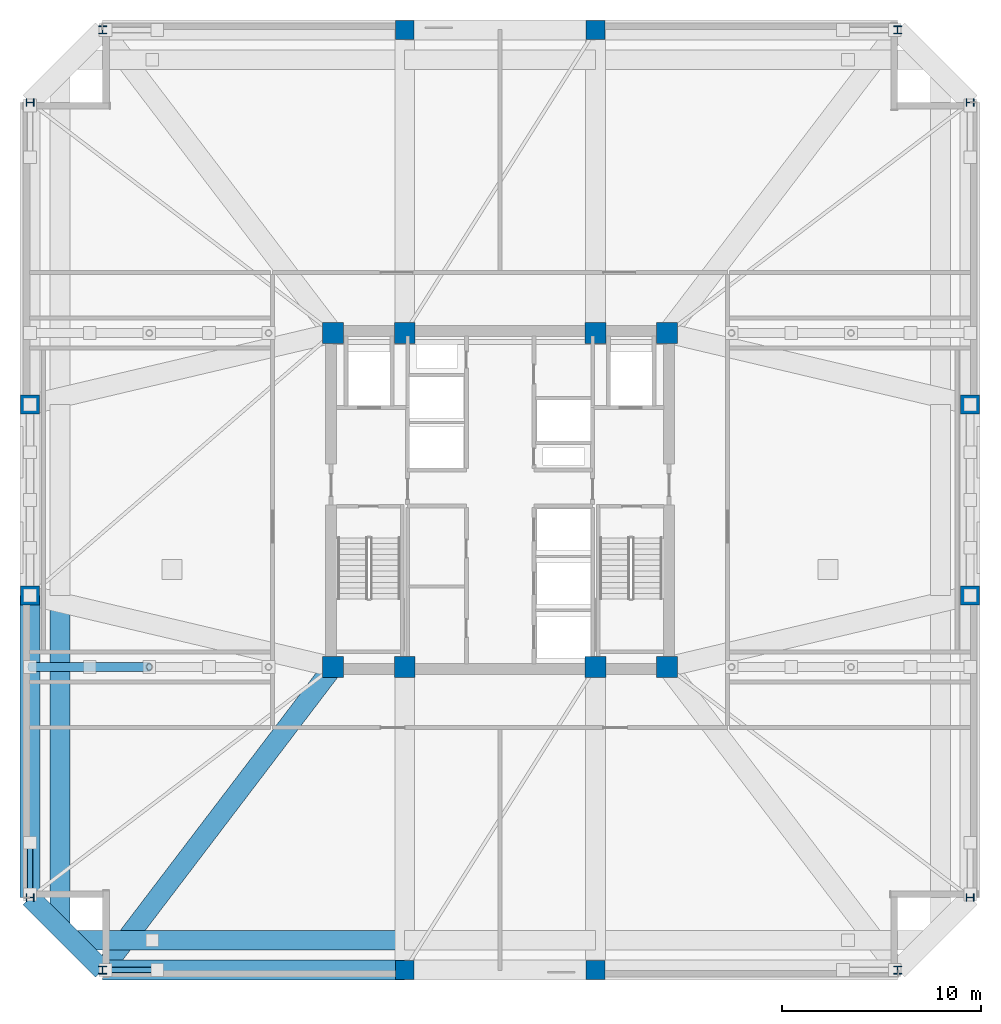
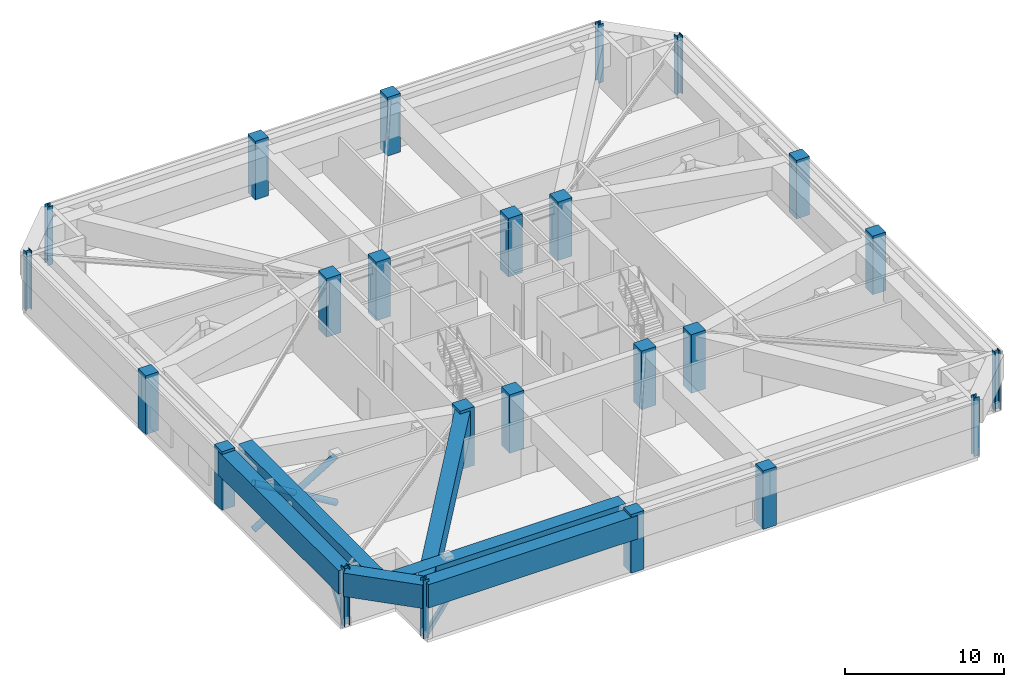
# One storey, part 1 of 13: 24 columns, 6 beams, 5 members.
"""IFC4 building model written with IfcOpenShell, lengths in metres."""

from ifc_helpers import new_model, si_unit, direction, frame, origin, origin_2d, place, context, subcontext, project, spatial, rectangle, hollow_rectangle, hollow_circle, i_section, extrude, material, material_profile, profile_set, type_object, element, save


model = new_model("IFC4")

# Units and contexts
model_context = context("Model", 3, precision=1e-05, world=origin(), true_north=direction((0.0, 1.0)))
body_context = subcontext(model_context, "Body", "Model", "MODEL_VIEW")
ifc_project = project(units=[si_unit("LENGTHUNIT", "METRE"), si_unit("AREAUNIT", "SQUARE_METRE"), si_unit("VOLUMEUNIT", "CUBIC_METRE"), si_unit("PLANEANGLEUNIT", "RADIAN"), si_unit("MASSUNIT", "GRAM", prefix="KILO")], contexts=[model_context])

# Site, building, storey
site_placement = place(None, origin())
site = spatial("IfcSite", under=ifc_project, at=site_placement, CompositionType="ELEMENT")
building_placement = place(site_placement, origin())
building = spatial("IfcBuilding", under=site, at=building_placement, Name="Cairnveth Concourse Tower", CompositionType="ELEMENT")
storey_placement = place(building_placement, frame((0.0, 0.0, 193.5)))
storey = spatial("IfcBuildingStorey", under=building, at=storey_placement, Name="L53", CompositionType="ELEMENT", Elevation=193.5)

# Columns
ifc_material_1 = material(Name="Concrete N65 (65 MPa)", Category="concrete")
ifc_material_profile_1 = material_profile(ifc_material_1, rectangle(XDim=1.050048828125, YDim=1.050048828125, at=origin_2d()), Name="RC-COL-1050x1050")
ifc_profile_set_1 = profile_set([ifc_material_profile_1], Name="Concrete N65 (65 MPa)")
column_type_1 = type_object("IfcColumnType", Name="CORE COLUMN 1050X1050", PredefinedType="COLUMN", material=ifc_profile_set_1)
for number, where, z_axis, x_axis, name in (
    (1, (43.60009765625, 30.60009765625, 0.0), (0.0, 0.0, 1.0), (1.0, 0.0, 0.0), "Column CC1 L53"),
    (2, (47.199951171875, 30.60009765625, 0.0), (0.0, 0.0, 1.0), (1.0, 0.0, 0.0), "Column CC2 L53"),
    (3, (56.800048828125, 30.60009765625, 0.0), (0.0, 0.0, 1.0), (1.0, 0.0, 0.0), "Column CC3 L53"),
    (4, (60.39990234375, 30.60009765625, 0.0), (0.0, 0.0, 1.0), (1.0, 0.0, 0.0), "Column CC4 L53"),
    (5, (43.60009765625, 47.39990234375, 0.0), (0.0, 0.0, 1.0), (1.0, 0.0, 0.0), "Column CC5 L53"),
    (6, (47.199951171875, 47.39990234375, 0.0), (0.0, 0.0, 1.0), (1.0, 0.0, 0.0), "Column CC6 L53"),
    (7, (56.800048828125, 47.39990234375, 0.0), (0.0, 0.0, 1.0), (1.0, 0.0, 0.0), "Column CC7 L53"),
    (8, (60.39990234375, 47.39990234375, 0.0), (0.0, 0.0, 1.0), (1.0, 0.0, 0.0), "Column CC8 L53"),
):
    element("IfcColumn", number, at=place(storey_placement, frame(where, z_axis=z_axis, x_axis=x_axis)), inside=storey, type_object=column_type_1, Name=name, PredefinedType="COLUMN", context=body_context, shape_type="SweptSolid", body=[
        extrude(rectangle(XDim=1.050048828125, YDim=1.050048828125, at=origin_2d()), origin(), (0.0, 0.0, 1.0), 4.5),
    ])
ifc_material_profile_2 = material_profile(ifc_material_1, rectangle(XDim=0.949951171875, YDim=0.949951171875, at=origin_2d()), Name="RC-COL-950x950")
ifc_profile_set_2 = profile_set([ifc_material_profile_2], Name="Concrete N65 (65 MPa)")
column_type_2 = type_object("IfcColumnType", Name="PERIMETER PIER COLUMN 950X950", PredefinedType="COLUMN", material=ifc_profile_set_2)
for number, where, z_axis, x_axis, name in (
    (9, (47.199951171875, 15.35009765625, 0.0), (0.0, 0.0, 1.0), (1.0, 0.0, 0.0), "Column P-S2 L53"),
    (10, (56.800048828125, 15.35009765625, 0.0), (0.0, 0.0, 1.0), (1.0, 0.0, 0.0), "Column P-S3 L53"),
    (11, (75.64990234375, 34.199951171875, 0.0), (0.0, 0.0, 1.0), (0.0, 1.0, 0.0), "Column P-E2 L53"),
    (12, (75.64990234375, 43.800048828125, 0.0), (0.0, 0.0, 1.0), (0.0, 1.0, 0.0), "Column P-E3 L53"),
    (13, (56.800048828125, 62.64990234375, 0.0), (0.0, 0.0, 1.0), (1.0, 0.0, 0.0), "Column P-N2 L53"),
    (14, (47.199951171875, 62.64990234375, 0.0), (0.0, 0.0, 1.0), (1.0, 0.0, 0.0), "Column P-N3 L53"),
    (15, (28.35009765625, 43.800048828125, 0.0), (0.0, 0.0, 1.0), (0.0, 1.0, 0.0), "Column P-W2 L53"),
    (16, (28.35009765625, 34.199951171875, 0.0), (0.0, 0.0, 1.0), (0.0, 1.0, 0.0), "Column P-W3 L53"),
):
    element("IfcColumn", number, at=place(storey_placement, frame(where, z_axis=z_axis, x_axis=x_axis)), inside=storey, type_object=column_type_2, Name=name, PredefinedType="COLUMN", context=body_context, shape_type="SweptSolid", body=[
        extrude(rectangle(XDim=0.949951171875, YDim=0.949951171875, at=origin_2d()), origin(), (0.0, 0.0, 1.0), 4.5),
    ])
ifc_material_2 = material(Name="Steel Grade 350", Category="steel")
ifc_material_profile_3 = material_profile(ifc_material_2, i_section(OverallWidth=0.39990234375, OverallDepth=0.39990234375, WebThickness=0.02197265625, FlangeThickness=0.035888671875, at=origin_2d()), Name="400WC270")
ifc_profile_set_3 = profile_set([ifc_material_profile_3], Name="Steel Grade 350")
column_type_3 = type_object("IfcColumnType", Name="WELDED STEEL COLUMN 400WC270", PredefinedType="COLUMN", material=ifc_profile_set_3)
for number, where, z_axis, x_axis, name in (
    (17, (32.0, 15.35009765625, 0.0), (0.0, 0.0, 1.0), (1.0, 0.0, 0.0), "Column P-S1 L53"),
    (18, (72.0, 15.35009765625, 0.0), (0.0, 0.0, 1.0), (1.0, 0.0, 0.0), "Column P-S4 L53"),
    (19, (75.64990234375, 19.0, 0.0), (0.0, 0.0, 1.0), (0.0, 1.0, 0.0), "Column P-E1 L53"),
    (20, (75.64990234375, 59.0, 0.0), (0.0, 0.0, 1.0), (0.0, 1.0, 0.0), "Column P-E4 L53"),
    (21, (72.0, 62.64990234375, 0.0), (0.0, 0.0, 1.0), (1.0, 0.0, 0.0), "Column P-N1 L53"),
    (22, (32.0, 62.64990234375, 0.0), (0.0, 0.0, 1.0), (1.0, 0.0, 0.0), "Column P-N4 L53"),
    (23, (28.35009765625, 59.0, 0.0), (0.0, 0.0, 1.0), (0.0, 1.0, 0.0), "Column P-W1 L53"),
    (24, (28.35009765625, 19.0, 0.0), (0.0, 0.0, 1.0), (0.0, 1.0, 0.0), "Column P-W4 L53"),
):
    element("IfcColumn", number, at=place(storey_placement, frame(where, z_axis=z_axis, x_axis=x_axis)), inside=storey, type_object=column_type_3, Name=name, PredefinedType="COLUMN", context=body_context, shape_type="SweptSolid", body=[
        extrude(i_section(OverallWidth=0.39990234375, OverallDepth=0.39990234375, WebThickness=0.02197265625, FlangeThickness=0.035888671875, at=origin_2d()), origin(), (0.0, 0.0, 1.0), 4.5),
    ])

# Beams
ifc_material_profile_4 = material_profile(ifc_material_1, rectangle(XDim=1.0, YDim=1.800048828125, at=origin_2d()), Name="RC-TB-1000x1800")
ifc_profile_set_4 = profile_set([ifc_material_profile_4], Name="Concrete N65 (65 MPa)")
beam_type = type_object("IfcBeamType", Name="CONCRETE TRANSFER GIRDER 1000X1800", PredefinedType="BEAM", material=ifc_profile_set_4)
for number, where, z_axis, x_axis, name in (
    (25, (32.0, 15.35009765625, 3.389892578125), (1.0, 0.0, 0.0), (0.0, 1.0, 0.0), "Beam SP-S1 L53"),
    (26, (28.35009765625, 19.0, 3.389892578125), (0.0, 1.0, 0.0), (-1.0, 0.0, 0.0), "Beam SP-W1 L53"),
):
    element("IfcBeam", number, at=place(storey_placement, frame(where, z_axis=z_axis, x_axis=x_axis)), inside=storey, type_object=beam_type, Name=name, PredefinedType="BEAM", context=body_context, shape_type="SweptSolid", body=[
        extrude(rectangle(XDim=1.0, YDim=1.800048828125, at=origin_2d()), origin(), (0.0, 0.0, 1.0), 15.199951171875),
    ])
beam_1_placement = place(storey_placement, frame((28.35009765625, 19.0, 3.389892578125), z_axis=(0.707106781187, -0.707106781187, 0.0), x_axis=(0.707106781187, 0.707106781187, 0.0)))
element("IfcBeam", 27, at=beam_1_placement, inside=storey, type_object=beam_type, Name="Beam SP-SW L53", PredefinedType="BEAM", context=body_context, shape_type="SweptSolid", body=[
    extrude(rectangle(XDim=1.0, YDim=1.800048828125, at=origin_2d()), origin(), (0.0, 0.0, 1.0), 5.16162109375),
])
beam_2_placement = place(storey_placement, frame((32.0, 15.35009765625, 3.389892578125), z_axis=(0.6054172684, 0.795908242904, 0.0), x_axis=(-0.795908242904, 0.6054172684, 0.0)))
element("IfcBeam", 28, at=beam_2_placement, inside=storey, type_object=beam_type, Name="Beam RG-CSW L53", PredefinedType="BEAM", context=body_context, shape_type="SweptSolid", body=[
    extrude(rectangle(XDim=1.0, YDim=1.800048828125, at=origin_2d()), origin(), (0.0, 0.0, 1.0), 19.160400390625),
])
for number, where, z_axis, x_axis, name in (
    (29, (30.5, 16.85009765625, 3.389892578125), (1.0, 0.0, 0.0), (0.0, 1.0, 0.0), "Beam STG-S1 L53"),
    (30, (29.85009765625, 17.5, 3.389892578125), (0.0, 1.0, 0.0), (-1.0, 0.0, 0.0), "Beam STG-W1 L53"),
):
    element("IfcBeam", number, at=place(storey_placement, frame(where, z_axis=z_axis, x_axis=x_axis)), inside=storey, type_object=beam_type, Name=name, PredefinedType="BEAM", context=body_context, shape_type="SweptSolid", body=[
        extrude(rectangle(XDim=1.0, YDim=1.800048828125, at=origin_2d()), origin(), (0.0, 0.0, 1.0), 16.699951171875),
    ])

# Members
ifc_material_3 = material(Name="Steel C350L0 (350 MPa)", Category="steel")
ifc_material_profile_5 = material_profile(ifc_material_3, hollow_circle(Radius=0.228515625, WallThickness=0.01611328125, at=origin_2d()), Name="457.0x16.0CHS")
ifc_profile_set_5 = profile_set([ifc_material_profile_5], Name="Steel C350L0 (350 MPa)")
member_type_1 = type_object("IfcMemberType", Name="OUTRIGGER DIAGONAL 457X16CHS", PredefinedType="BRACE", material=ifc_profile_set_5)
member_1_placement = place(storey_placement, frame((28.35009765625, 30.60009765625, 0.25), z_axis=(0.858117715439, 0.0, 0.513453003155), x_axis=(0.0, 1.0, 0.0)))
element("IfcMember", 31, at=member_1_placement, inside=storey, type_object=member_type_1, Name="Structural Brace OUT-OW1A-P1A L53", PredefinedType="BRACE", context=body_context, shape_type="SweptSolid", body=[
    extrude(hollow_circle(Radius=0.228515625, WallThickness=0.01611328125, at=origin_2d()), origin(), (0.0, 0.0, 1.0), 6.991943359375),
])
member_2_placement = place(storey_placement, frame((28.35009765625, 30.60009765625, 3.840087890625), z_axis=(0.858111150446, 0.0, -0.51346397486), x_axis=(0.0, 1.0, 0.0)))
element("IfcMember", 32, at=member_2_placement, inside=storey, type_object=member_type_1, Name="Structural Brace OUT-OW1A-P1B1 L53", PredefinedType="BRACE", context=body_context, shape_type="SweptSolid", body=[
    extrude(hollow_circle(Radius=0.228515625, WallThickness=0.01611328125, at=origin_2d()), origin(), (0.0, 0.0, 1.0), 3.48095703125),
])
member_3_placement = place(storey_placement, frame((31.36279296875, 30.60009765625, 2.037353515625), z_axis=(0.85812963974, 0.0, -0.513433073924), x_axis=(0.0, 1.0, 0.0)))
element("IfcMember", 33, at=member_3_placement, inside=storey, type_object=member_type_1, Name="Structural Brace OUT-OW1A-P1B2 L53", PredefinedType="BRACE", context=body_context, shape_type="SweptSolid", body=[
    extrude(hollow_circle(Radius=0.228515625, WallThickness=0.01611328125, at=origin_2d()), origin(), (0.0, 0.0, 1.0), 3.481201171875),
])
ifc_material_profile_6 = material_profile(ifc_material_3, hollow_rectangle(XDim=0.300048828125, YDim=0.300048828125, WallThickness=0.01611328125, InnerFilletRadius=0.01611328125, OuterFilletRadius=0.031982421875, at=origin_2d()), Name="300x300x16.0SHS")
ifc_profile_set_6 = profile_set([ifc_material_profile_6], Name="Steel C350L0 (350 MPa)")
member_type_2 = type_object("IfcMemberType", Name="ZONE 2 PIER BRACE 300X300X16SHS", PredefinedType="BRACE", material=ifc_profile_set_6)
for number, where, z_axis, x_axis, name in (
    (34, (32.14990234375, 15.35009765625, 0.25), (0.586565875469, 0.0, 0.809901521011), (0.0, 1.0, 0.0), "Structural Brace PB-S1 L53"),
    (35, (28.35009765625, 19.14990234375, 0.25), (0.0, 0.586565875469, 0.809901521011), (-1.0, 0.0, 0.0), "Structural Brace PB-W1 L53"),
):
    element("IfcMember", number, at=place(storey_placement, frame(where, z_axis=z_axis, x_axis=x_axis)), inside=storey, type_object=member_type_2, Name=name, PredefinedType="BRACE", context=body_context, shape_type="SweptSolid", body=[
        extrude(hollow_rectangle(XDim=0.300048828125, YDim=0.300048828125, WallThickness=0.01611328125, InnerFilletRadius=0.01611328125, OuterFilletRadius=0.031982421875, at=origin_2d()), origin(), (0.0, 0.0, 1.0), 4.432861328125),
    ])

save(model, "model.ifc")
